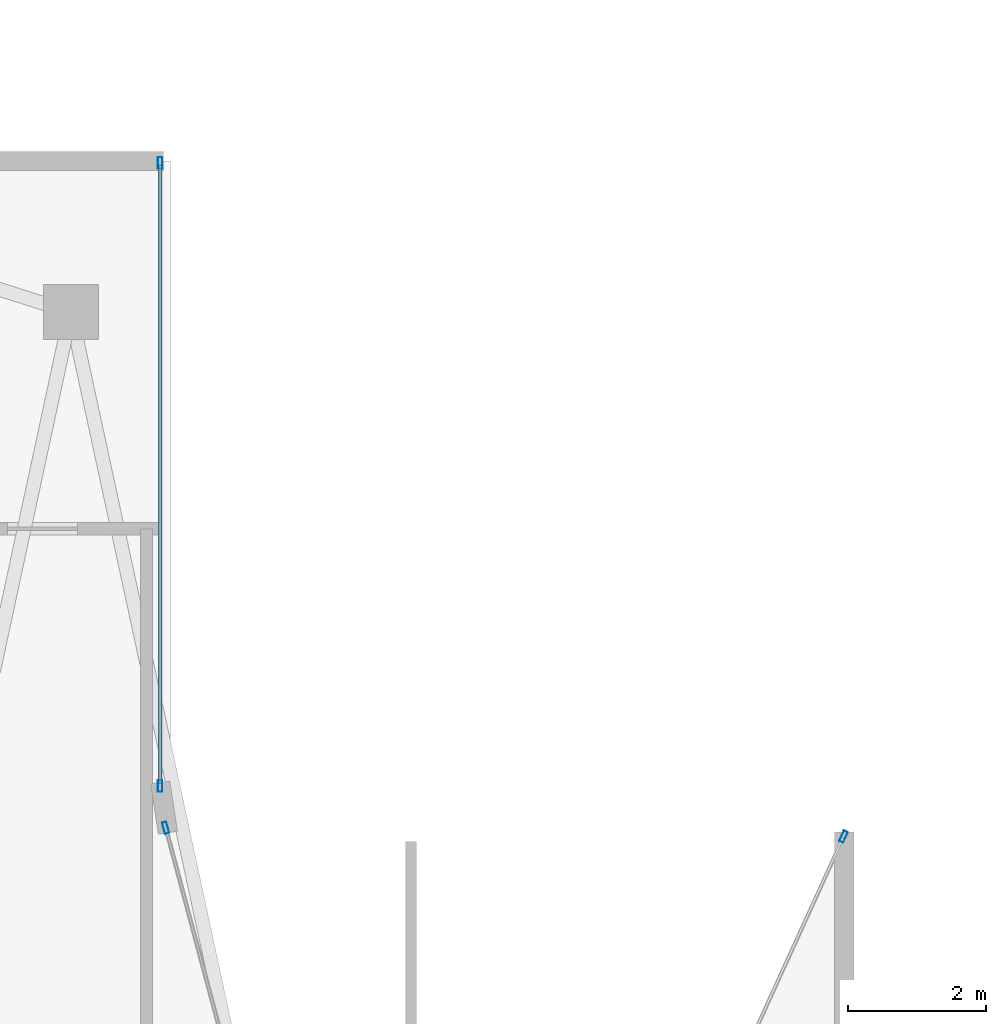
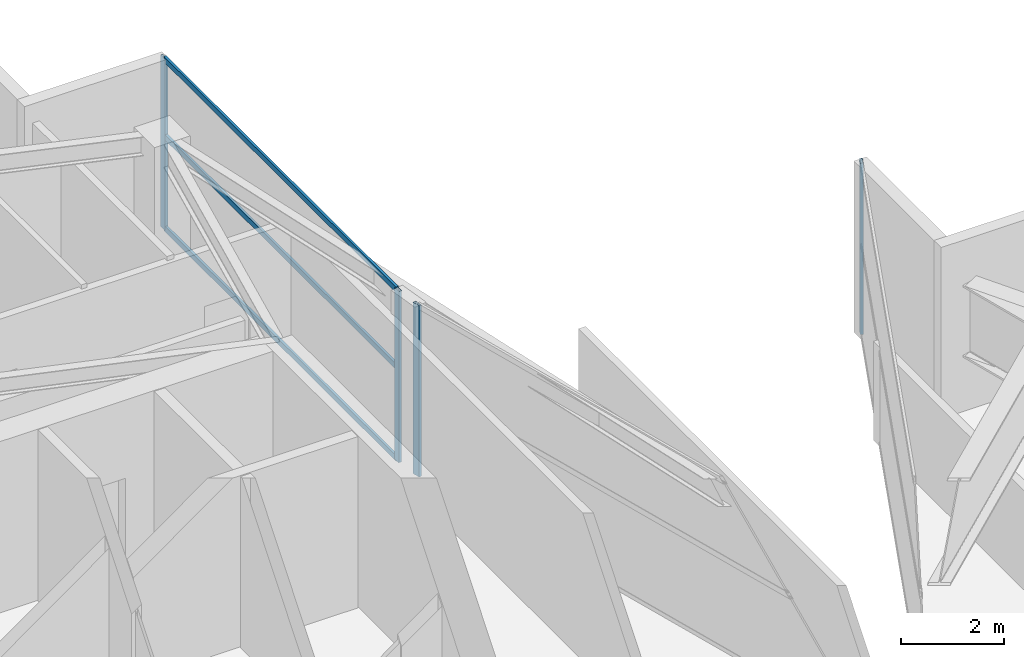
# One storey, part 18 of 26: 7 members, 3 elements without a shape of their own.
"""IFC4 building model written with IfcOpenShell, lengths in metres."""

from ifc_helpers import new_model, si_unit, direction, frame, origin, origin_2d, place, context, subcontext, project, spatial, hollow_rectangle, extrude, material, layer, layer_set, material_profile, profile_set, type_object, element, aggregate, save


model = new_model("IFC4")

# Units and contexts
model_context = context("Model", 3, precision=1e-05, world=origin(), true_north=direction((0.0, 1.0)))
body_context = subcontext(model_context, "Body", "Model", "MODEL_VIEW")
ifc_project = project(units=[si_unit("LENGTHUNIT", "METRE"), si_unit("AREAUNIT", "SQUARE_METRE"), si_unit("VOLUMEUNIT", "CUBIC_METRE"), si_unit("PLANEANGLEUNIT", "RADIAN"), si_unit("MASSUNIT", "GRAM", prefix="KILO")], contexts=[model_context])

# Site, building, storey
site_placement = place(None, origin())
site = spatial("IfcSite", under=ifc_project, at=site_placement, CompositionType="ELEMENT")
building_placement = place(site_placement, origin())
building = spatial("IfcBuilding", under=site, at=building_placement, Name="Calvorn Quay Hotel", CompositionType="ELEMENT")
storey_placement = place(building_placement, frame((0.0, 0.0, 302.5)))
storey = spatial("IfcBuildingStorey", under=building, at=storey_placement, Name="L75", CompositionType="ELEMENT", Elevation=302.5)

# Curtain wall, member
ifc_material_1 = material(Name="Champagne Bronze Anodised Aluminium and Low-E Glass", Category="aluminium")
ifc_layer = layer(ifc_material_1, 0.219970703125)
ifc_layer_set = layer_set([ifc_layer], Name="CW-SYS-Z4")
curtain_wall_type = type_object("IfcCurtainWallType", Name="CW-SYS-Z4", PredefinedType="NOTDEFINED", material=ifc_layer_set)
curtain_wall_1_placement = place(storey_placement, origin())
curtain_wall_1 = element("IfcCurtainWall", 1, at=curtain_wall_1_placement, inside=storey, type_object=curtain_wall_type, Name="Inner Court Curtain Wall L75-NE1", PredefinedType="NOTDEFINED")
ifc_material_2 = material(Name="Champagne Bronze Anodised Aluminium 6063-T6", Category="aluminium")
ifc_material_profile_1 = material_profile(ifc_material_2, hollow_rectangle(XDim=0.06494140625, YDim=0.169921875, WallThickness=0.00341796875, at=origin_2d()), Name="ALU-M170x65x3.5")
ifc_profile_set_1 = profile_set([ifc_material_profile_1], Name="Champagne Bronze Anodised Aluminium 6063-T6")
member_type_1 = type_object("IfcMemberType", Name="CW-SYS-Z4-MUL", PredefinedType="MULLION", material=ifc_profile_set_1)
member_1_placement = place(storey_placement, frame((27.78759765625, 37.97265625, 0.0), z_axis=(0.0, 0.0, 1.0), x_axis=(0.909907665981, -0.414810847724, 0.0)))
member_1 = element("IfcMember", 2, at=member_1_placement, type_object=member_type_1, Name="CW-L75-NE1 mullion 1", PredefinedType="MULLION", context=body_context, shape_type="SweptSolid", body=[
    extrude(hollow_rectangle(XDim=0.06494140625, YDim=0.169921875, WallThickness=0.00341796875, at=origin_2d()), origin(), (0.0, 0.0, 1.0), 4.050048828125),
])
aggregate(curtain_wall_1, [member_1])

curtain_wall_2_placement = place(storey_placement, origin())
curtain_wall_2 = element("IfcCurtainWall", 3, at=curtain_wall_2_placement, inside=storey, type_object=curtain_wall_type, Name="Inner Court Curtain Wall L75-IC1", PredefinedType="NOTDEFINED")
member_2_placement = place(storey_placement, frame((17.9296875, 38.10107421875, 0.0), z_axis=(0.0, 0.0, 1.0), x_axis=(-0.96593652056, -0.25877913024, 0.0)))
member_2 = element("IfcMember", 4, at=member_2_placement, type_object=member_type_1, Name="CW-L75-IC1 mullion 2", PredefinedType="MULLION", context=body_context, shape_type="SweptSolid", body=[
    extrude(hollow_rectangle(XDim=0.06494140625, YDim=0.169921875, WallThickness=0.00341796875, at=origin_2d()), origin(), (0.0, 0.0, 1.0), 4.050048828125),
])
aggregate(curtain_wall_2, [member_2])

# Curtain wall, members
curtain_wall_3_placement = place(storey_placement, origin())
curtain_wall_3 = element("IfcCurtainWall", 5, at=curtain_wall_3_placement, inside=storey, type_object=curtain_wall_type, Name="Inner Court Curtain Wall L75-IC2", PredefinedType="NOTDEFINED")
member_3_placement = place(storey_placement, frame((17.85009765625, 38.7099609375, 0.0), z_axis=(0.0, 0.0, 1.0), x_axis=(-1.0, 0.0, 0.0)))
member_3 = element("IfcMember", 6, at=member_3_placement, type_object=member_type_1, Name="CW-L75-IC2 mullion 1", PredefinedType="MULLION", context=body_context, shape_type="SweptSolid", body=[
    extrude(hollow_rectangle(XDim=0.06494140625, YDim=0.169921875, WallThickness=0.00341796875, at=origin_2d()), origin(), (0.0, 0.0, 1.0), 4.050048828125),
])
member_4_placement = place(storey_placement, frame((17.85009765625, 47.77001953125, 0.0), z_axis=(0.0, 0.0, 1.0), x_axis=(-1.0, 0.0, 0.0)))
member_4 = element("IfcMember", 7, at=member_4_placement, type_object=member_type_1, Name="CW-L75-IC2 mullion 2", PredefinedType="MULLION", context=body_context, shape_type="SweptSolid", body=[
    extrude(hollow_rectangle(XDim=0.06494140625, YDim=0.169921875, WallThickness=0.00341796875, at=origin_2d()), origin(), (0.0, 0.0, 1.0), 4.050048828125),
])
ifc_material_3 = material(Name="Champagne Bronze Anodised Aluminium 6063-T6", Category="aluminium")
ifc_material_profile_2 = material_profile(ifc_material_3, hollow_rectangle(XDim=0.054931640625, YDim=0.1298828125, WallThickness=0.003173828125, at=origin_2d()), Name="ALU-T130x55x3.2")
ifc_profile_set_2 = profile_set([ifc_material_profile_2], Name="Champagne Bronze Anodised Aluminium 6063-T6")
member_type_2 = type_object("IfcMemberType", Name="CW-SYS-Z4-TRN", PredefinedType="USERDEFINED", material=ifc_profile_set_2)
member_5_placement = place(storey_placement, frame((17.85009765625, 38.739990234375, 0.030029296875), z_axis=(0.0, 1.0, 0.0), x_axis=(-1.0, 0.0, 0.0)))
member_5 = element("IfcMember", 8, at=member_5_placement, type_object=member_type_2, Name="CW-L75-IC2 transom 1.1", ObjectType="TRANSOM", PredefinedType="USERDEFINED", context=body_context, shape_type="SweptSolid", body=[
    extrude(hollow_rectangle(XDim=0.054931640625, YDim=0.1298828125, WallThickness=0.003173828125, at=origin_2d()), origin(), (0.0, 0.0, 1.0), 9.0),
])
member_6_placement = place(storey_placement, frame((17.85009765625, 38.739990234375, 2.199951171875), z_axis=(0.0, 1.0, 0.0), x_axis=(-1.0, 0.0, 0.0)))
member_6 = element("IfcMember", 9, at=member_6_placement, type_object=member_type_2, Name="CW-L75-IC2 transom 1.2", ObjectType="TRANSOM", PredefinedType="USERDEFINED", context=body_context, shape_type="SweptSolid", body=[
    extrude(hollow_rectangle(XDim=0.054931640625, YDim=0.1298828125, WallThickness=0.003173828125, at=origin_2d()), origin(), (0.0, 0.0, 1.0), 9.0),
])
member_7_placement = place(storey_placement, frame((17.85009765625, 38.739990234375, 4.02001953125), z_axis=(0.0, 1.0, 0.0), x_axis=(-1.0, 0.0, 0.0)))
member_7 = element("IfcMember", 10, at=member_7_placement, type_object=member_type_2, Name="CW-L75-IC2 transom 1.3", ObjectType="TRANSOM", PredefinedType="USERDEFINED", context=body_context, shape_type="SweptSolid", body=[
    extrude(hollow_rectangle(XDim=0.054931640625, YDim=0.1298828125, WallThickness=0.003173828125, at=origin_2d()), origin(), (0.0, 0.0, 1.0), 9.0),
])
aggregate(curtain_wall_3, [member_3, member_4, member_5, member_6, member_7])

save(model, "model.ifc")
